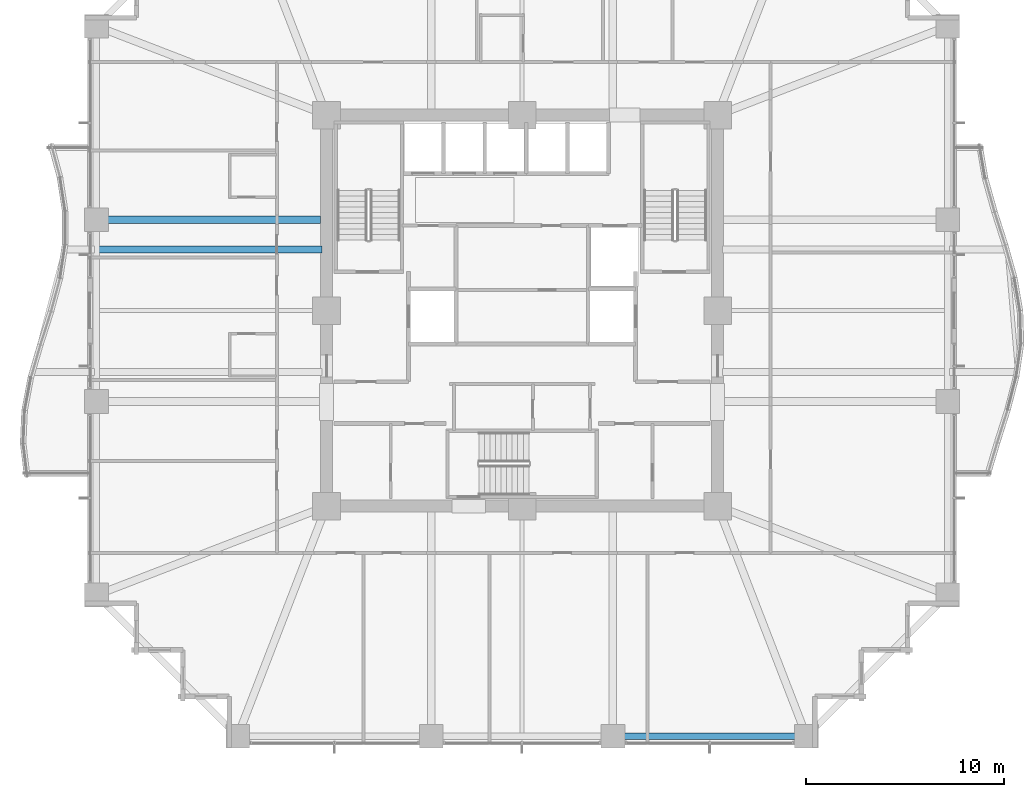
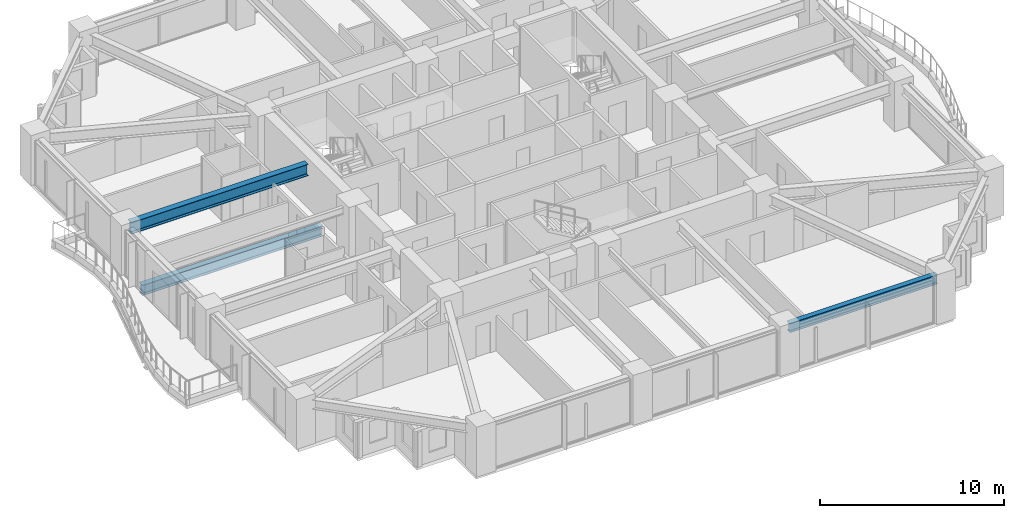
# One storey, part 10 of 38: 3 beams.
"""IFC4 building model written with IfcOpenShell, lengths in metres."""

from ifc_helpers import new_model, si_unit, direction, frame, origin, origin_2d, place, context, subcontext, project, spatial, i_section, extrude, material, material_profile, profile_set, type_object, element, save


model = new_model("IFC4")

# Units and contexts
model_context = context("Model", 3, precision=1e-05, world=origin(), true_north=direction((0.0, 1.0)))
body_context = subcontext(model_context, "Body", "Model", "MODEL_VIEW")
ifc_project = project(units=[si_unit("LENGTHUNIT", "METRE"), si_unit("AREAUNIT", "SQUARE_METRE"), si_unit("VOLUMEUNIT", "CUBIC_METRE"), si_unit("PLANEANGLEUNIT", "RADIAN"), si_unit("MASSUNIT", "GRAM", prefix="KILO")], contexts=[model_context])

# Site, building, storey
site_placement = place(None, origin())
site = spatial("IfcSite", under=ifc_project, at=site_placement, CompositionType="ELEMENT")
building_placement = place(site_placement, origin())
building = spatial("IfcBuilding", under=site, at=building_placement, Name="Kolvaren Belvedere", CompositionType="ELEMENT")
storey_placement = place(building_placement, frame((0.0, 0.0, 60.10009765625)))
storey = spatial("IfcBuildingStorey", under=building, at=storey_placement, Name="L17", CompositionType="ELEMENT", Elevation=60.10009765625)

# Beams
ifc_material_1 = material(Name="Structural steel ASTM A992 Grade 50", Category="steel")
ifc_material_profile_1 = material_profile(ifc_material_1, i_section(OverallWidth=0.35498046875, OverallDepth=0.696044921875, WebThickness=0.015380859375, FlangeThickness=0.02490234375, FilletRadius=0.02197265625, at=origin_2d()), Name="W27X146")
ifc_profile_set_1 = profile_set([ifc_material_profile_1], Name="Structural steel ASTM A992 Grade 50")
beam_type_1 = type_object("IfcBeamType", Name="BM-GIRD-W27X146", PredefinedType="BEAM", material=ifc_profile_set_1)
beam_1_placement = place(storey_placement, frame((-10.139892578125, 3.10009765625, -0.588134765625), z_axis=(-1.0, 0.0, 0.0), x_axis=(0.0, -1.0, 0.0)))
element("IfcBeam", 1, at=beam_1_placement, inside=storey, type_object=beam_type_1, Name="L17 Balcony Interior Back-Span Girder BAL-W-2", PredefinedType="BEAM", context=body_context, shape_type="SweptSolid", body=[
    extrude(i_section(OverallWidth=0.35498046875, OverallDepth=0.696044921875, WebThickness=0.015380859375, FlangeThickness=0.02490234375, FilletRadius=0.02197265625, at=origin_2d()), origin(), (0.0, 0.0, 1.0), 11.315185546875),
])
ifc_material_2 = material(Name="Structural steel ASTM A992 Grade 50", Category="steel")
ifc_material_profile_2 = material_profile(ifc_material_2, i_section(OverallWidth=0.381103515625, OverallDepth=0.77294921875, WebThickness=0.0166015625, FlangeThickness=0.027099609375, FilletRadius=0.02392578125, at=origin_2d()), Name="W30X173")
ifc_profile_set_2 = profile_set([ifc_material_profile_2], Name="Structural steel ASTM A992 Grade 50")
beam_type_2 = type_object("IfcBeamType", Name="BM-GIRD-W30X173", PredefinedType="BEAM", material=ifc_profile_set_2)
beam_2_placement = place(storey_placement, frame((-10.199951171875, 4.60009765625, 2.5634765625), z_axis=(-1.0, 0.0, 0.0), x_axis=(0.0, -1.0, 0.0)))
element("IfcBeam", 2, at=beam_2_placement, inside=storey, type_object=beam_type_2, Name="L17 West Radial Girder P", PredefinedType="BEAM", context=body_context, shape_type="SweptSolid", body=[
    extrude(i_section(OverallWidth=0.381103515625, OverallDepth=0.77294921875, WebThickness=0.0166015625, FlangeThickness=0.027099609375, FilletRadius=0.02392578125, at=origin_2d()), origin(), (0.0, 0.0, 1.0), 11.080078125),
])
ifc_material_3 = material(Name="Structural steel ASTM A992 Grade 50", Category="steel")
ifc_material_profile_3 = material_profile(ifc_material_3, i_section(OverallWidth=0.324951171875, OverallDepth=0.615966796875, WebThickness=0.013916015625, FlangeThickness=0.021484375, FilletRadius=0.02001953125, at=origin_2d()), Name="W24X117")
ifc_profile_set_3 = profile_set([ifc_material_profile_3], Name="Structural steel ASTM A992 Grade 50")
beam_type_3 = type_object("IfcBeamType", Name="BM-SPAN-W24X117", PredefinedType="SPANDREL", material=ifc_profile_set_3)
beam_3_placement = place(storey_placement, frame((4.8701171875, -21.550048828125, 2.641845703125), z_axis=(1.0, 0.0, 0.0), x_axis=(0.0, 1.0, 0.0)))
element("IfcBeam", 3, at=beam_3_placement, inside=storey, type_object=beam_type_3, Name="L17 Perimeter Spandrel S3-S4", PredefinedType="SPANDREL", context=body_context, shape_type="SweptSolid", body=[
    extrude(i_section(OverallWidth=0.324951171875, OverallDepth=0.615966796875, WebThickness=0.013916015625, FlangeThickness=0.021484375, FilletRadius=0.02001953125, at=origin_2d()), origin(), (0.0, 0.0, 1.0), 9.259765625),
])

save(model, "model.ifc")
